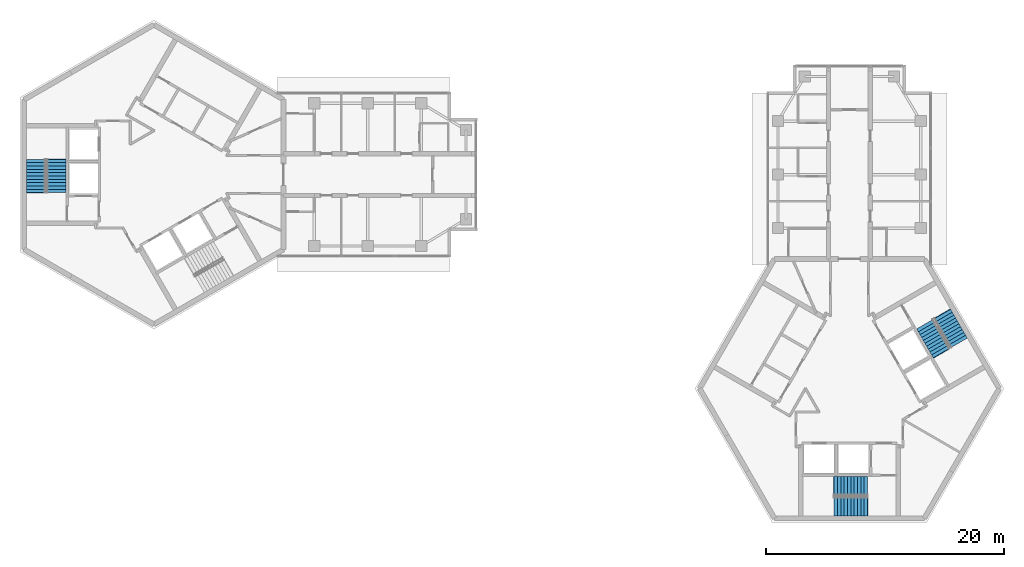
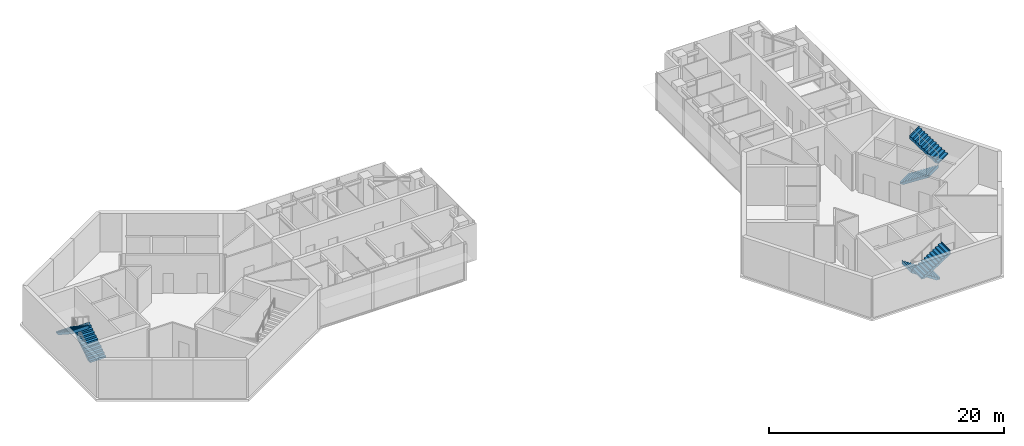
# One storey, part 10 of 11: 6 stair flights, 3 elements without a shape of their own.
"""IFC4 building model written with IfcOpenShell, lengths in metres."""

from ifc_helpers import new_model, si_unit, direction, frame, origin, place, context, subcontext, project, spatial, polyline, outline, extrude, material, type_object, element, aggregate, save


model = new_model("IFC4")

# Units and contexts
model_context = context("Model", 3, precision=1e-05, world=origin(), true_north=direction((0.0, 1.0)))
body_context = subcontext(model_context, "Body", "Model", "MODEL_VIEW")
ifc_project = project(units=[si_unit("LENGTHUNIT", "METRE"), si_unit("AREAUNIT", "SQUARE_METRE"), si_unit("VOLUMEUNIT", "CUBIC_METRE"), si_unit("PLANEANGLEUNIT", "RADIAN"), si_unit("MASSUNIT", "GRAM", prefix="KILO")], contexts=[model_context])

# Site, building, storey
site_placement = place(None, origin())
site = spatial("IfcSite", under=ifc_project, at=site_placement, CompositionType="ELEMENT")
building_placement = place(site_placement, origin())
building = spatial("IfcBuilding", under=site, at=building_placement, Name="Upepo Twin Towers", CompositionType="ELEMENT")
storey_placement = place(building_placement, frame((0.0, 0.0, 267.5)))
storey = spatial("IfcBuildingStorey", under=building, at=storey_placement, Name="L65", CompositionType="ELEMENT", Elevation=267.5)

# Stair, stair flights
ifc_material_1 = material(Name="Concrete C40/50", Category="concrete")
stair_type = type_object("IfcStairType", Name="Core stair, two flights", PredefinedType="HALF_TURN_STAIR", material=ifc_material_1)
stair_1_placement = place(storey_placement, origin())
stair_1 = element("IfcStair", 1, at=stair_1_placement, inside=storey, type_object=stair_type, Name="T1 stair S1 L65", PredefinedType="HALF_TURN_STAIR")
ifc_material_2 = material(Name="Concrete C40/50", Category="concrete")
stair_flight_type = type_object("IfcStairFlightType", Name="Stair flight 1600 RC", PredefinedType="STRAIGHT", material=ifc_material_2)
stair_flight_1_placement = place(storey_placement, frame((-8.199951171875, -1.52001953125, 0.0), z_axis=(0.0, 0.0, 1.0), x_axis=(0.0, 1.0, 0.0)))
stair_flight_1 = element("IfcStairFlight", 2, at=stair_flight_1_placement, type_object=stair_flight_type, Name="Stair S1 flight 1", NumberOfRisers=11, NumberOfTreads=10, PredefinedType="STRAIGHT", RiserHeight=0.181818182, TreadLength=0.28, context=body_context, shape_type="SweptSolid", body=[
    extrude(outline(polyline([(0.0, 0.0), (0.0, 0.181884765625), (0.280029296875, 0.181884765625), (0.280029296875, 0.363525390625), (0.56005859375, 0.363525390625), (0.56005859375, 0.54541015625), (0.840087890625, 0.54541015625), (0.840087890625, 0.727294921875), (1.1201171875, 0.727294921875), (1.1201171875, 0.9091796875), (1.39990234375, 0.9091796875), (1.39990234375, 1.0908203125), (1.679931640625, 1.0908203125), (1.679931640625, 1.272705078125), (1.9599609375, 1.272705078125), (1.9599609375, 1.45458984375), (2.239990234375, 1.45458984375), (2.239990234375, 1.636474609375), (2.52001953125, 1.636474609375), (2.52001953125, 1.818115234375), (2.800048828125, 1.818115234375), (2.800048828125, 2.0), (2.85009765625, 2.0), (2.85009765625, 1.639404296875), (0.3251953125, 0.0), (0.0, 0.0)])), frame((0.0, 0.800048828125, 0.0), z_axis=(0.0, -1.0, 0.0), x_axis=(1.0, 0.0, 0.0)), (0.0, 0.0, 1.0), 1.60009765625),
])
stair_flight_2_placement = place(storey_placement, frame((-9.908447265625, 1.280029296875, 2.0), z_axis=(0.0, 0.0, 1.0), x_axis=(0.0, -1.0, 0.0)))
stair_flight_2 = element("IfcStairFlight", 3, at=stair_flight_2_placement, type_object=stair_flight_type, Name="Stair S1 flight 2", NumberOfRisers=11, NumberOfTreads=10, PredefinedType="STRAIGHT", RiserHeight=0.181818182, TreadLength=0.28, context=body_context, shape_type="SweptSolid", body=[
    extrude(outline(polyline([(0.0, 0.0), (0.0, 0.181884765625), (0.280029296875, 0.181884765625), (0.280029296875, 0.363525390625), (0.56005859375, 0.363525390625), (0.56005859375, 0.54541015625), (0.840087890625, 0.54541015625), (0.840087890625, 0.727294921875), (1.1201171875, 0.727294921875), (1.1201171875, 0.9091796875), (1.39990234375, 0.9091796875), (1.39990234375, 1.0908203125), (1.679931640625, 1.0908203125), (1.679931640625, 1.272705078125), (1.9599609375, 1.272705078125), (1.9599609375, 1.45458984375), (2.239990234375, 1.45458984375), (2.239990234375, 1.636474609375), (2.52001953125, 1.636474609375), (2.52001953125, 1.818115234375), (2.800048828125, 1.818115234375), (2.800048828125, 2.0), (2.85009765625, 2.0), (2.85009765625, 1.639404296875), (0.3251953125, 0.0), (0.0, 0.0)])), frame((0.0, 0.800048828125, 0.0), z_axis=(0.0, -1.0, 0.0), x_axis=(1.0, 0.0, 0.0)), (0.0, 0.0, 1.0), 1.60009765625),
])
aggregate(stair_1, [stair_flight_1, stair_flight_2])

stair_2_placement = place(storey_placement, origin())
stair_2 = element("IfcStair", 4, at=stair_2_placement, inside=storey, type_object=stair_type, Name="T2 stair S1 L65", PredefinedType="HALF_TURN_STAIR")
stair_flight_3_placement = place(storey_placement, frame((60.02001953125, -26.199951171875, 0.0), z_axis=(0.0, 0.0, 1.0), x_axis=(-1.0, 0.0, 0.0)))
stair_flight_3 = element("IfcStairFlight", 5, at=stair_flight_3_placement, type_object=stair_flight_type, Name="Stair S1 flight 1", NumberOfRisers=11, NumberOfTreads=10, PredefinedType="STRAIGHT", RiserHeight=0.181818182, TreadLength=0.28, context=body_context, shape_type="SweptSolid", body=[
    extrude(outline(polyline([(0.0, 0.0), (0.0, 0.181884765625), (0.280029296875, 0.181884765625), (0.280029296875, 0.363525390625), (0.56005859375, 0.363525390625), (0.56005859375, 0.54541015625), (0.840087890625, 0.54541015625), (0.840087890625, 0.727294921875), (1.1201171875, 0.727294921875), (1.1201171875, 0.9091796875), (1.39990234375, 0.9091796875), (1.39990234375, 1.0908203125), (1.679931640625, 1.0908203125), (1.679931640625, 1.272705078125), (1.9599609375, 1.272705078125), (1.9599609375, 1.45458984375), (2.239990234375, 1.45458984375), (2.239990234375, 1.636474609375), (2.52001953125, 1.636474609375), (2.52001953125, 1.818115234375), (2.800048828125, 1.818115234375), (2.800048828125, 2.0), (2.85009765625, 2.0), (2.85009765625, 1.639404296875), (0.3251953125, 0.0), (0.0, 0.0)])), frame((0.0, 0.800048828125, 0.0), z_axis=(0.0, -1.0, 0.0), x_axis=(1.0, 0.0, 0.0)), (0.0, 0.0, 1.0), 1.60009765625),
])
stair_flight_4_placement = place(storey_placement, frame((57.219970703125, -27.908447265625, 2.0), z_axis=(0.0, 0.0, 1.0), x_axis=(1.0, 0.0, 0.0)))
stair_flight_4 = element("IfcStairFlight", 6, at=stair_flight_4_placement, type_object=stair_flight_type, Name="Stair S1 flight 2", NumberOfRisers=11, NumberOfTreads=10, PredefinedType="STRAIGHT", RiserHeight=0.181818182, TreadLength=0.28, context=body_context, shape_type="SweptSolid", body=[
    extrude(outline(polyline([(0.0, 0.0), (0.0, 0.181884765625), (0.280029296875, 0.181884765625), (0.280029296875, 0.363525390625), (0.56005859375, 0.363525390625), (0.56005859375, 0.54541015625), (0.840087890625, 0.54541015625), (0.840087890625, 0.727294921875), (1.1201171875, 0.727294921875), (1.1201171875, 0.9091796875), (1.39990234375, 0.9091796875), (1.39990234375, 1.0908203125), (1.679931640625, 1.0908203125), (1.679931640625, 1.272705078125), (1.9599609375, 1.272705078125), (1.9599609375, 1.45458984375), (2.239990234375, 1.45458984375), (2.239990234375, 1.636474609375), (2.52001953125, 1.636474609375), (2.52001953125, 1.818115234375), (2.800048828125, 1.818115234375), (2.800048828125, 2.0), (2.85009765625, 2.0), (2.85009765625, 1.639404296875), (0.3251953125, 0.0), (0.0, 0.0)])), frame((0.0, 0.800048828125, 0.0), z_axis=(0.0, -1.0, 0.0), x_axis=(1.0, 0.0, 0.0)), (0.0, 0.0, 1.0), 1.60009765625),
])
aggregate(stair_2, [stair_flight_3, stair_flight_4])

stair_3_placement = place(storey_placement, origin())
stair_3 = element("IfcStair", 7, at=stair_3_placement, inside=storey, type_object=stair_type, Name="T2 stair S2 L65", PredefinedType="HALF_TURN_STAIR")
stair_flight_5_placement = place(storey_placement, frame((64.84130859375, -12.583740234375, 0.0), z_axis=(0.0, 0.0, 1.0), x_axis=(0.5, -0.866025403784, 0.0)))
stair_flight_5 = element("IfcStairFlight", 8, at=stair_flight_5_placement, type_object=stair_flight_type, Name="Stair S2 flight 1", NumberOfRisers=11, NumberOfTreads=10, PredefinedType="STRAIGHT", RiserHeight=0.181818182, TreadLength=0.28, context=body_context, shape_type="SweptSolid", body=[
    extrude(outline(polyline([(0.0, 0.0), (0.0, 0.181884765625), (0.280029296875, 0.181884765625), (0.280029296875, 0.363525390625), (0.56005859375, 0.363525390625), (0.56005859375, 0.54541015625), (0.840087890625, 0.54541015625), (0.840087890625, 0.727294921875), (1.1201171875, 0.727294921875), (1.1201171875, 0.9091796875), (1.39990234375, 0.9091796875), (1.39990234375, 1.0908203125), (1.679931640625, 1.0908203125), (1.679931640625, 1.272705078125), (1.9599609375, 1.272705078125), (1.9599609375, 1.45458984375), (2.239990234375, 1.45458984375), (2.239990234375, 1.636474609375), (2.52001953125, 1.636474609375), (2.52001953125, 1.818115234375), (2.800048828125, 1.818115234375), (2.800048828125, 2.0), (2.85009765625, 2.0), (2.85009765625, 1.639404296875), (0.3251953125, 0.0), (0.0, 0.0)])), frame((0.0, 0.800048828125, 0.0), z_axis=(0.0, -1.0, 0.0), x_axis=(1.0, 0.0, 0.0)), (0.0, 0.0, 1.0), 1.60009765625),
])
stair_flight_6_placement = place(storey_placement, frame((67.720947265625, -14.154296875, 2.0), z_axis=(0.0, 0.0, 1.0), x_axis=(-0.5, 0.866025403784, 0.0)))
stair_flight_6 = element("IfcStairFlight", 9, at=stair_flight_6_placement, type_object=stair_flight_type, Name="Stair S2 flight 2", NumberOfRisers=11, NumberOfTreads=10, PredefinedType="STRAIGHT", RiserHeight=0.181818182, TreadLength=0.28, context=body_context, shape_type="SweptSolid", body=[
    extrude(outline(polyline([(0.0, 0.0), (0.0, 0.181884765625), (0.280029296875, 0.181884765625), (0.280029296875, 0.363525390625), (0.56005859375, 0.363525390625), (0.56005859375, 0.54541015625), (0.840087890625, 0.54541015625), (0.840087890625, 0.727294921875), (1.1201171875, 0.727294921875), (1.1201171875, 0.9091796875), (1.39990234375, 0.9091796875), (1.39990234375, 1.0908203125), (1.679931640625, 1.0908203125), (1.679931640625, 1.272705078125), (1.9599609375, 1.272705078125), (1.9599609375, 1.45458984375), (2.239990234375, 1.45458984375), (2.239990234375, 1.636474609375), (2.52001953125, 1.636474609375), (2.52001953125, 1.818115234375), (2.800048828125, 1.818115234375), (2.800048828125, 2.0), (2.85009765625, 2.0), (2.85009765625, 1.639404296875), (0.3251953125, 0.0), (0.0, 0.0)])), frame((0.0, 0.800048828125, 0.0), z_axis=(0.0, -1.0, 0.0), x_axis=(1.0, 0.0, 0.0)), (0.0, 0.0, 1.0), 1.60009765625),
])
aggregate(stair_3, [stair_flight_5, stair_flight_6])

save(model, "model.ifc")
